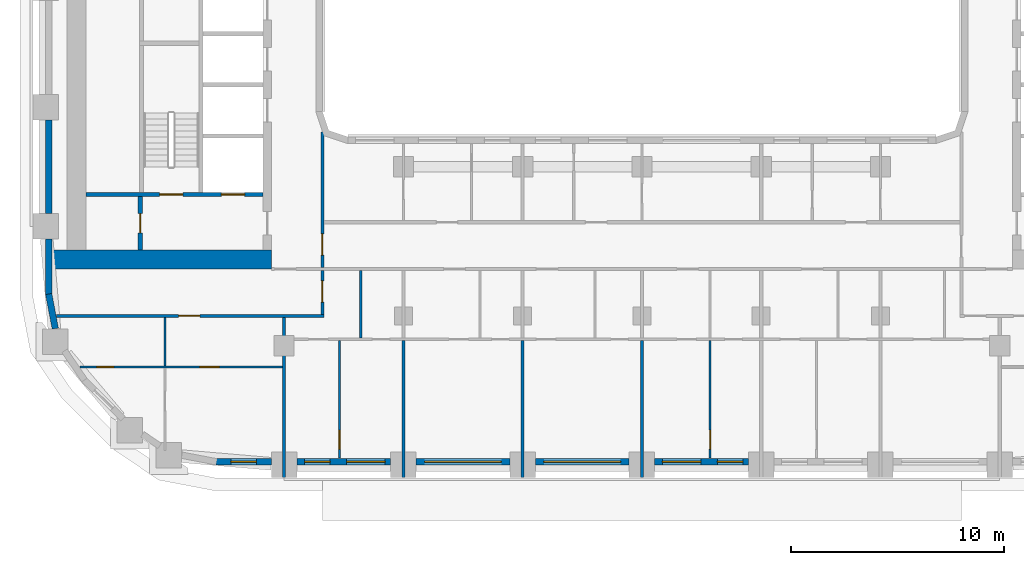
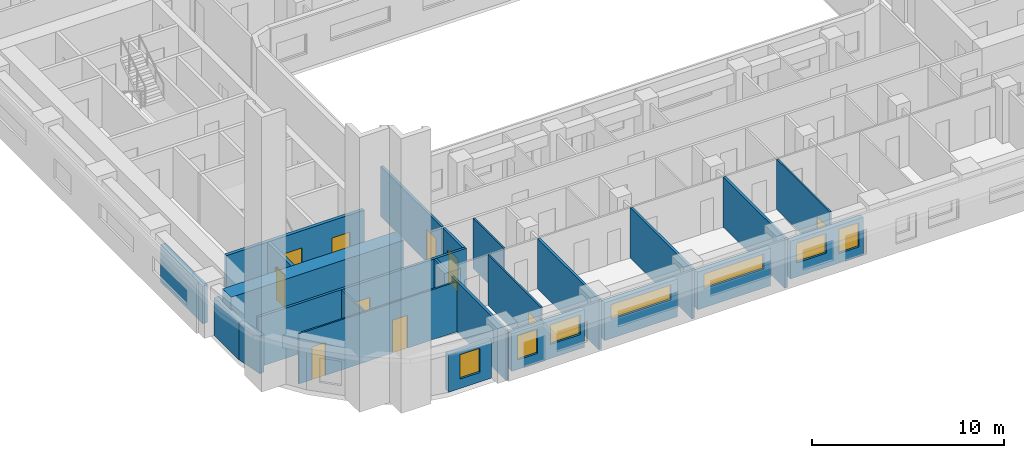
# One storey, part 3 of 23: 23 walls, 10 doors, 7 windows, 17 openings.
"""IFC4 building model written with IfcOpenShell, lengths in metres."""

import ifcopenshell
import ifcopenshell.guid

model = None  # the IFC model being written
_history = None  # IfcOwnerHistory: only IFC2X3 demands one
_inside = {}  # id of a spatial element -> (the spatial element, [elements in it])
_under = {}  # id of a project, library or spatial element -> (it, [spatial elements below it])
_declared = {}  # id of a project -> (the project, [libraries it declares])
_typed = {}  # id of a type object -> (the type object, [elements of that type])
_made_of = {}  # id of a material, layer set ... -> (it, [elements and type objects made of it])


def new_model(schema):
    """Start an empty IFC model of exactly this schema.

    Asked for "IFC4X3", IfcOpenShell would pick the latest addendum, in which some entities
    have other attributes; the version numbers below select the first issue.
    IFC2X3 requires an IfcOwnerHistory on every rooted entity: one is made here for all.
    """
    global model, _history
    if schema == "IFC4X3":
        model = ifcopenshell.file(schema_version=(4, 3, 0, 0))
    else:
        model = ifcopenshell.file(schema=schema)
    _inside.clear()
    _under.clear()
    _declared.clear()
    _typed.clear()
    _made_of.clear()
    _history = None
    if model.schema == "IFC2X3":
        org = make("IfcOrganization", Name="unknown")
        user = make(
            "IfcPersonAndOrganization",
            ThePerson=make("IfcPerson", FamilyName="unknown"),
            TheOrganization=org,
        )
        app = make(
            "IfcApplication",
            ApplicationDeveloper=org,
            Version="unknown",
            ApplicationFullName="unknown",
            ApplicationIdentifier="unknown",
        )
        _history = make(
            "IfcOwnerHistory",
            OwningUser=user,
            OwningApplication=app,
            ChangeAction="ADDED",
            CreationDate=0,
        )
    return model


def make(cls, **values):
    """One entity of the class cls with the attributes given. An attribute that is None is left unset."""
    return model.create_entity(
        cls, **{name: value for name, value in values.items() if value is not None}
    )


def rooted(cls, **values):
    """An entity with a GlobalId (a new one), such as an element, a storey or a relation."""
    return make(cls, GlobalId=ifcopenshell.guid.new(), OwnerHistory=_history, **values)


def si_unit(unit_type, name, prefix=None):
    """IfcSIUnit, for example si_unit("LENGTHUNIT", "METRE", prefix="MILLI")."""
    return make("IfcSIUnit", UnitType=unit_type, Prefix=prefix, Name=name)


def assignment(units):
    """IfcUnitAssignment: the units of a project."""
    return None if units is None else make("IfcUnitAssignment", Units=units)


def point(xyz):
    """IfcCartesianPoint."""
    return None if xyz is None else make("IfcCartesianPoint", Coordinates=xyz)


def direction(xyz):
    """IfcDirection."""
    return None if xyz is None else make("IfcDirection", DirectionRatios=xyz)


def frame(location, z_axis=None, x_axis=None):
    """IfcAxis2Placement3D, a coordinate frame: its origin and axes. An axis left out is left unset."""
    return make(
        "IfcAxis2Placement3D",
        Location=point(location),
        Axis=direction(z_axis),
        RefDirection=direction(x_axis),
    )


def frame_2d(location, x_axis=None):
    """IfcAxis2Placement2D, a coordinate frame in the plane: its origin and x axis."""
    return make(
        "IfcAxis2Placement2D", Location=point(location), RefDirection=direction(x_axis)
    )


def origin():
    """The frame at (0, 0, 0) with its axes left unset."""
    return frame((0.0, 0.0, 0.0))


def place(relative_to, where):
    """IfcLocalPlacement: puts the frame where relative to a parent placement (None: the world)."""
    return make(
        "IfcLocalPlacement", PlacementRelTo=relative_to, RelativePlacement=where
    )


def context(
    kind, dimensions, precision=None, world=None, true_north=None, identifier=None
):
    """IfcGeometricRepresentationContext, for example the 3D "Model" context."""
    return make(
        "IfcGeometricRepresentationContext",
        ContextIdentifier=identifier,
        ContextType=kind,
        CoordinateSpaceDimension=dimensions,
        Precision=precision,
        WorldCoordinateSystem=world,
        TrueNorth=true_north,
    )


def subcontext(parent, identifier, kind, view, scale=None):
    """IfcGeometricRepresentationSubContext, for example "Body" below "Model"."""
    return make(
        "IfcGeometricRepresentationSubContext",
        ContextIdentifier=identifier,
        ContextType=kind,
        ParentContext=parent,
        TargetScale=scale,
        TargetView=view,
    )


def project(units=None, contexts=None):
    """IfcProject with its units and contexts."""
    return rooted(
        "IfcProject",
        Name="project",
        RepresentationContexts=contexts,
        UnitsInContext=assignment(units),
    )


def spatial(cls, under=None, at=None, **own):
    """A site, building, storey or space (cls), placed at a placement, below another one or the project."""
    s = rooted(cls, ObjectPlacement=at, **own)
    if under is not None:
        _under.setdefault(under.id(), (under, []))[1].append(s)
    return s


def profile(cls, at=None, kind="AREA", **sizes):
    """A parametric profile (cls). Its sizes go by their IFC names, for example OverallWidth=200.0."""
    return make(cls, ProfileType=kind, Position=at, **sizes)


def rectangle(**sizes):
    """IfcRectangleProfileDef."""
    return profile("IfcRectangleProfileDef", **sizes)


def extrude(swept, where, along, depth):
    """IfcExtrudedAreaSolid: the profile swept, set in the frame where, extruded along a direction by depth."""
    return make(
        "IfcExtrudedAreaSolid",
        SweptArea=swept,
        Position=where,
        ExtrudedDirection=direction(along),
        Depth=depth,
    )


def shape(context_of_items, identifier, shape_type, items):
    """IfcShapeRepresentation: the items that make up one representation, for example the "Body"."""
    return make(
        "IfcShapeRepresentation",
        ContextOfItems=context_of_items,
        RepresentationIdentifier=identifier,
        RepresentationType=shape_type,
        Items=items,
    )


def material(Name=None, Category=None):
    """IfcMaterial."""
    return make("IfcMaterial", Name=Name, Category=Category)


def layer(
    of_material, thickness, ventilated=None, Name=None, Category=None, Priority=None
):
    """IfcMaterialLayer: one layer of a wall or slab, of a material (None: an air gap)."""
    return make(
        "IfcMaterialLayer",
        Material=of_material,
        LayerThickness=thickness,
        IsVentilated=ventilated,
        Name=Name,
        Category=Category,
        Priority=Priority,
    )


def layer_set(layers, Name=None):
    """IfcMaterialLayerSet."""
    return make("IfcMaterialLayerSet", MaterialLayers=layers, LayerSetName=Name)


def made_of(thing, what):
    """Note that an element or type object is made of a material, layer set ...; save() writes the relation."""
    if what is not None:
        _made_of.setdefault(what.id(), (what, []))[1].append(thing)
    return thing


def type_object(cls, material=None, **own):
    """A type object (cls), such as IfcWallType, which elements share."""
    return made_of(rooted(cls, **own), material)


def element(
    cls,
    number,
    at=None,
    inside=None,
    cuts=None,
    type_object=None,
    material=None,
    context=None,
    identifier="Body",
    shape_type=None,
    held_by="IfcProductDefinitionShape",
    body=None,
    shapes=None,
    **own,
):
    """One element of the class cls, such as IfcWall. Its Tag is "e" and its number.

    at: its placement. inside: the storey or other place that contains it. cuts: it is an
    opening in that element (IfcRelVoidsElement). A single representation is given by context,
    identifier, shape_type and body (its items); several are given by shapes. held_by: the class
    of the entity that holds the representations. save() writes the other relations.
    """
    e = rooted(cls, Tag="e%d" % number, ObjectPlacement=at, **own)
    if body is not None:
        shapes = [shape(context, identifier, shape_type, body)]
    if shapes is not None:
        e.Representation = make(held_by, Representations=shapes)
    if inside is not None:
        _inside.setdefault(inside.id(), (inside, []))[1].append(e)
    if cuts is not None:
        rooted(
            "IfcRelVoidsElement", RelatingBuildingElement=cuts, RelatedOpeningElement=e
        )
    if type_object is not None:
        _typed.setdefault(type_object.id(), (type_object, []))[1].append(e)
    return made_of(e, material)


def fill(opening, filler):
    """IfcRelFillsElement: the door or window that sits in an opening."""
    return rooted(
        "IfcRelFillsElement",
        RelatingOpeningElement=opening,
        RelatedBuildingElement=filler,
    )


def aggregate(whole, parts):
    """IfcRelAggregates: a whole, such as a stair, and the parts it consists of."""
    return rooted("IfcRelAggregates", RelatingObject=whole, RelatedObjects=parts)


def save(model, path):
    """Write the relations noted so far, then the file.

    IfcRelAggregates (storeys below a building ...), IfcRelContainedInSpatialStructure (elements
    in a storey), IfcRelDefinesByType, IfcRelAssociatesMaterial and IfcRelDeclares: one each for
    every whole, place, type object, material and project.
    """
    for whole, parts in _under.values():
        aggregate(whole, parts)
    for where, things in _inside.values():
        rooted(
            "IfcRelContainedInSpatialStructure",
            RelatedElements=things,
            RelatingStructure=where,
        )
    for kind, things in _typed.values():
        rooted("IfcRelDefinesByType", RelatedObjects=things, RelatingType=kind)
    for what, things in _made_of.values():
        rooted("IfcRelAssociatesMaterial", RelatedObjects=things, RelatingMaterial=what)
    for by, libraries in _declared.values():
        rooted("IfcRelDeclares", RelatingContext=by, RelatedDefinitions=libraries)
    model.write(path)


model = new_model("IFC4")

# Units and contexts
model_context = context("Model", 3, precision=1e-05, world=origin(), true_north=direction((0.0, 1.0)))
body_context = subcontext(model_context, "Body", "Model", "MODEL_VIEW")
ifc_project = project(units=[si_unit("LENGTHUNIT", "METRE"), si_unit("AREAUNIT", "SQUARE_METRE"), si_unit("VOLUMEUNIT", "CUBIC_METRE"), si_unit("PLANEANGLEUNIT", "RADIAN"), si_unit("MASSUNIT", "GRAM", prefix="KILO")], contexts=[model_context])

# Site, building, storey
site_placement = place(None, origin())
site = spatial("IfcSite", under=ifc_project, at=site_placement, CompositionType="ELEMENT")
building_placement = place(site_placement, origin())
building = spatial("IfcBuilding", under=site, at=building_placement, Name="Kiln Ring Residences", CompositionType="ELEMENT")
storey_placement = place(building_placement, frame((0.0, 0.0, 107.800048828125)))
storey = spatial("IfcBuildingStorey", under=building, at=storey_placement, Name="L27", CompositionType="ELEMENT", Elevation=107.800048828125)

# Wall, opening, door
ifc_material_1 = material(Name="Gypsum board on steel studs", Category="steel")
ifc_layer_1 = layer(ifc_material_1, 0.199951171875)
ifc_layer_set_1 = layer_set([ifc_layer_1], Name="CORE-PARTITION-200")
wall_type_1 = type_object("IfcWallType", Name="CORE-PARTITION-200", PredefinedType="PARTITIONING", material=ifc_layer_set_1)
wall_1_placement = place(storey_placement, frame((-23.550048828125, -12.300048828125, 0.0), z_axis=(0.0, 0.0, 1.0), x_axis=(0.0, 1.0, 0.0)))
wall_1 = element("IfcWall", 1, at=wall_1_placement, inside=storey, type_object=wall_type_1, Name="Core partition west L27 5", PredefinedType="PARTITIONING", context=body_context, shape_type="SweptSolid", body=[
    extrude(rectangle(XDim=2.5, YDim=0.199951171875, at=frame_2d((1.25, 0.0))), origin(), (0.0, 0.0, 1.0), 3.199951171875),
])
opening_1_placement = place(wall_1_placement, frame((0.800048828125, 0.0, 0.0)))
opening_1 = element("IfcOpeningElement", 2, at=opening_1_placement, cuts=wall_1, Name="Opening L27-CW11", PredefinedType="OPENING", context=body_context, shape_type="SweptSolid", body=[
    extrude(rectangle(XDim=0.89990234375, YDim=2.10009765625, at=frame_2d((0.449951171875, 1.050048828125))), frame((0.0, 0.10986328125, 0.0), z_axis=(0.0, -1.0, 0.0), x_axis=(1.0, 0.0, 0.0)), (0.0, 0.0, 1.0), 0.219970703125),
])
ifc_material_2 = material(Name="Steel door leaf", Category="steel")
door_type_1 = type_object("IfcDoorType", Name="CORE-DOOR-ROOM", OperationType="SINGLE_SWING_LEFT", PredefinedType="DOOR", material=ifc_material_2)
door_1_placement = place(opening_1_placement, origin())
door_1 = element("IfcDoor", 3, at=door_1_placement, inside=storey, type_object=door_type_1, Name="Store L27-CW11", OperationType="SINGLE_SWING_LEFT", OverallHeight=2.10009765625, OverallWidth=0.89990234375, PredefinedType="DOOR", context=body_context, shape_type="SweptSolid", body=[
    extrude(rectangle(XDim=0.89990234375, YDim=2.10009765625, at=frame_2d((0.449951171875, 1.050048828125))), frame((0.0, 0.02490234375, 0.0), z_axis=(0.0, -1.0, 0.0), x_axis=(1.0, 0.0, 0.0)), (0.0, 0.0, 1.0), 0.050048828125),
])
fill(opening_1, door_1)

# Wall, openings, doors
ifc_material_3 = material(Name="Concrete C40/50", Category="concrete")
ifc_layer_2 = layer(ifc_material_3, 0.199951171875)
ifc_layer_set_2 = layer_set([ifc_layer_2], Name="CORE-WALL-RC200")
wall_type_2 = type_object("IfcWallType", Name="CORE-WALL-RC200", PredefinedType="SHEAR", material=ifc_layer_set_2)
wall_2_placement = place(storey_placement, frame((-17.800048828125, -9.699951171875, 0.0), z_axis=(0.0, 0.0, 1.0), x_axis=(-1.0, 0.0, 0.0)))
wall_2 = element("IfcWall", 4, at=wall_2_placement, inside=storey, type_object=wall_type_2, Name="Core wall west L27 8", PredefinedType="SHEAR", context=body_context, shape_type="SweptSolid", body=[
    extrude(rectangle(XDim=8.300048828125, YDim=0.199951171875, at=frame_2d((4.14990234375, 0.0))), origin(), (0.0, 0.0, 1.0), 3.199951171875),
])
opening_2_placement = place(wall_2_placement, frame((0.85009765625, 0.0, 0.0)))
opening_2 = element("IfcOpeningElement", 5, at=opening_2_placement, cuts=wall_2, Name="Opening L27-CW01", PredefinedType="OPENING", context=body_context, shape_type="SweptSolid", body=[
    extrude(rectangle(XDim=1.10009765625, YDim=2.10009765625, at=frame_2d((0.550048828125, 1.050048828125))), frame((0.0, 0.10986328125, 0.0), z_axis=(0.0, -1.0, 0.0), x_axis=(1.0, 0.0, 0.0)), (0.0, 0.0, 1.0), 0.219970703125),
])
opening_3_placement = place(wall_2_placement, frame((3.75, 0.0, 0.0)))
opening_3 = element("IfcOpeningElement", 6, at=opening_3_placement, cuts=wall_2, Name="Opening L27-CW13", PredefinedType="OPENING", context=body_context, shape_type="SweptSolid", body=[
    extrude(rectangle(XDim=1.10009765625, YDim=2.10009765625, at=frame_2d((0.550048828125, 1.050048828125))), frame((0.0, 0.10986328125, 0.0), z_axis=(0.0, -1.0, 0.0), x_axis=(1.0, 0.0, 0.0)), (0.0, 0.0, 1.0), 0.219970703125),
])
ifc_material_4 = material(Name="Steel door leaf", Category="steel")
door_type_2 = type_object("IfcDoorType", Name="CORE-DOOR-LD", OperationType="DOUBLE_DOOR_SLIDING", PredefinedType="DOOR", material=ifc_material_4)
door_2_placement = place(opening_2_placement, origin())
door_2 = element("IfcDoor", 7, at=door_2_placement, inside=storey, type_object=door_type_2, Name="LD W-SV L27-CW01", OperationType="DOUBLE_DOOR_SLIDING", OverallHeight=2.10009765625, OverallWidth=1.10009765625, PredefinedType="DOOR", context=body_context, shape_type="SweptSolid", body=[
    extrude(rectangle(XDim=1.10009765625, YDim=2.10009765625, at=frame_2d((0.550048828125, 1.050048828125))), frame((0.0, 0.02490234375, 0.0), z_axis=(0.0, -1.0, 0.0), x_axis=(1.0, 0.0, 0.0)), (0.0, 0.0, 1.0), 0.050048828125),
])
fill(opening_2, door_2)
ifc_material_5 = material(Name="Steel door leaf", Category="steel")
door_type_3 = type_object("IfcDoorType", Name="CORE-DOOR-STAIR", OperationType="SINGLE_SWING_LEFT", PredefinedType="DOOR", material=ifc_material_5)
door_3_placement = place(opening_3_placement, origin())
door_3 = element("IfcDoor", 8, at=door_3_placement, inside=storey, type_object=door_type_3, Name="Stair W-STS L27-CW13", OperationType="SINGLE_SWING_RIGHT", OverallHeight=2.10009765625, OverallWidth=1.10009765625, PredefinedType="DOOR", context=body_context, shape_type="SweptSolid", body=[
    extrude(rectangle(XDim=1.10009765625, YDim=2.10009765625, at=frame_2d((0.550048828125, 1.050048828125))), frame((0.0, 0.02490234375, 0.0), z_axis=(0.0, -1.0, 0.0), x_axis=(1.0, 0.0, 0.0)), (0.0, 0.0, 1.0), 0.050048828125),
])
fill(opening_3, door_3)

# Wall
ifc_material_6 = material(Name="Concrete C60/75", Category="concrete")
ifc_layer_3 = layer(ifc_material_6, 0.89990234375)
ifc_layer_set_3 = layer_set([ifc_layer_3], Name="CORE-WALL-RC900")
wall_type_3 = type_object("IfcWallType", Name="CORE-WALL-RC900", PredefinedType="SHEAR", material=ifc_layer_set_3)
wall_3_placement = place(storey_placement, frame((-17.39990234375, -12.75, 0.0), z_axis=(0.0, 0.0, 1.0), x_axis=(-1.0, 0.0, 0.0)))
element("IfcWall", 9, at=wall_3_placement, inside=storey, type_object=wall_type_3, Name="Core wall west L27 5", PredefinedType="SHEAR", context=body_context, shape_type="SweptSolid", body=[
    extrude(rectangle(XDim=10.400146484375, YDim=0.89990234375, at=frame_2d((5.2001953125, 0.0))), origin(), (0.0, 0.0, 1.0), 3.199951171875),
])

# Wall, opening, window
ifc_material_7 = material(Name="Brick masonry, dark clay brick", Category="masonry")
ifc_layer_4 = layer(ifc_material_7, 0.300048828125)
ifc_layer_set_4 = layer_set([ifc_layer_4], Name="EW-300 BRICK WALL")
wall_type_4 = type_object("IfcWallType", Name="EW-300 BRICK WALL", PredefinedType="SOLIDWALL", material=ifc_layer_set_4)
wall_4_placement = place(storey_placement, frame((-20.0, -22.25, 0.0), z_axis=(0.0, 0.0, 1.0), x_axis=(1.0, 0.0, 0.0)))
wall_4 = element("IfcWall", 10, at=wall_4_placement, inside=storey, type_object=wall_type_4, Name="Facade wall L27 4", PredefinedType="SOLIDWALL", context=body_context, shape_type="SweptSolid", body=[
    extrude(rectangle(XDim=2.60009765625, YDim=0.300048828125, at=frame_2d((1.300048828125, 0.0))), origin(), (0.0, 0.0, 1.0), 2.39990234375),
])
opening_4_placement = place(wall_4_placement, frame((0.699951171875, 0.0, 0.60009765625)))
opening_4 = element("IfcOpeningElement", 11, at=opening_4_placement, cuts=wall_4, Name="Opening W1", PredefinedType="OPENING", context=body_context, shape_type="SweptSolid", body=[
    extrude(rectangle(XDim=1.199951171875, YDim=1.550048828125, at=frame_2d((0.60009765625, 0.77490234375))), frame((0.0, 0.159912109375, 0.0), z_axis=(0.0, -1.0, 0.0), x_axis=(1.0, 0.0, 0.0)), (0.0, 0.0, 1.0), 0.320068359375),
])
ifc_material_8 = material(Name="Aluminium frame with double glazing", Category="aluminium")
window_type_1 = type_object("IfcWindowType", Name="WINDOW 1200 x 1550", PartitioningType="SINGLE_PANEL", PredefinedType="WINDOW", material=ifc_material_8)
window_1_placement = place(opening_4_placement, origin())
window_1 = element("IfcWindow", 12, at=window_1_placement, inside=storey, type_object=window_type_1, Name="Window L27 2", OverallHeight=1.550048828125, OverallWidth=1.199951171875, PartitioningType="SINGLE_PANEL", PredefinedType="WINDOW", context=body_context, shape_type="SweptSolid", body=[
    extrude(rectangle(XDim=1.199951171875, YDim=1.550048828125, at=frame_2d((0.60009765625, 0.77490234375))), frame((0.0, 0.030029296875, 0.0), z_axis=(0.0, -1.0, 0.0), x_axis=(1.0, 0.0, 0.0)), (0.0, 0.0, 1.0), 0.06005859375),
])
fill(opening_4, window_1)

# Wall, openings, windows
wall_5_placement = place(storey_placement, frame((-16.199951171875, -22.25, 0.0), z_axis=(0.0, 0.0, 1.0), x_axis=(1.0, 0.0, 0.0)))
wall_5 = element("IfcWall", 13, at=wall_5_placement, inside=storey, type_object=wall_type_4, Name="Facade wall L27 5", PredefinedType="SOLIDWALL", context=body_context, shape_type="SweptSolid", body=[
    extrude(rectangle(XDim=4.39990234375, YDim=0.300048828125, at=frame_2d((2.199951171875, 0.0))), origin(), (0.0, 0.0, 1.0), 2.39990234375),
])
opening_5_placement = place(wall_5_placement, frame((0.362548828125, 0.0, 0.60009765625)))
opening_5 = element("IfcOpeningElement", 14, at=opening_5_placement, cuts=wall_5, Name="Opening W1", PredefinedType="OPENING", context=body_context, shape_type="SweptSolid", body=[
    extrude(rectangle(XDim=1.199951171875, YDim=1.550048828125, at=frame_2d((0.60009765625, 0.77490234375))), frame((0.0, 0.159912109375, 0.0), z_axis=(0.0, -1.0, 0.0), x_axis=(1.0, 0.0, 0.0)), (0.0, 0.0, 1.0), 0.320068359375),
])
opening_6_placement = place(wall_5_placement, frame((2.33740234375, 0.0, 0.89990234375)))
opening_6 = element("IfcOpeningElement", 15, at=opening_6_placement, cuts=wall_5, Name="Opening W2", PredefinedType="OPENING", context=body_context, shape_type="SweptSolid", body=[
    extrude(rectangle(XDim=1.800048828125, YDim=1.25, at=frame_2d((0.89990234375, 0.625))), frame((0.0, 0.159912109375, 0.0), z_axis=(0.0, -1.0, 0.0), x_axis=(1.0, 0.0, 0.0)), (0.0, 0.0, 1.0), 0.320068359375),
])
window_2_placement = place(opening_5_placement, origin())
window_2 = element("IfcWindow", 16, at=window_2_placement, inside=storey, type_object=window_type_1, Name="Window L27 3", OverallHeight=1.550048828125, OverallWidth=1.199951171875, PartitioningType="SINGLE_PANEL", PredefinedType="WINDOW", context=body_context, shape_type="SweptSolid", body=[
    extrude(rectangle(XDim=1.199951171875, YDim=1.550048828125, at=frame_2d((0.60009765625, 0.77490234375))), frame((0.0, 0.030029296875, 0.0), z_axis=(0.0, -1.0, 0.0), x_axis=(1.0, 0.0, 0.0)), (0.0, 0.0, 1.0), 0.06005859375),
])
fill(opening_5, window_2)
ifc_material_9 = material(Name="Aluminium frame with double glazing", Category="aluminium")
window_type_2 = type_object("IfcWindowType", Name="WINDOW 1800 x 1250", PartitioningType="SINGLE_PANEL", PredefinedType="WINDOW", material=ifc_material_9)
window_3_placement = place(opening_6_placement, origin())
window_3 = element("IfcWindow", 17, at=window_3_placement, inside=storey, type_object=window_type_2, Name="Window L27 4", OverallHeight=1.25, OverallWidth=1.800048828125, PartitioningType="SINGLE_PANEL", PredefinedType="WINDOW", context=body_context, shape_type="SweptSolid", body=[
    extrude(rectangle(XDim=1.800048828125, YDim=1.25, at=frame_2d((0.89990234375, 0.625))), frame((0.0, 0.030029296875, 0.0), z_axis=(0.0, -1.0, 0.0), x_axis=(1.0, 0.0, 0.0)), (0.0, 0.0, 1.0), 0.06005859375),
])
fill(opening_6, window_3)

# Wall, opening, window
wall_6_placement = place(storey_placement, frame((-10.60009765625, -22.25, 0.0), z_axis=(0.0, 0.0, 1.0), x_axis=(1.0, 0.0, 0.0)))
wall_6 = element("IfcWall", 18, at=wall_6_placement, inside=storey, type_object=wall_type_4, Name="Facade wall L27 6", PredefinedType="SOLIDWALL", context=body_context, shape_type="SweptSolid", body=[
    extrude(rectangle(XDim=4.400146484375, YDim=0.300048828125, at=frame_2d((2.2001953125, 0.0))), origin(), (0.0, 0.0, 1.0), 2.39990234375),
])
opening_7_placement = place(wall_6_placement, frame((0.39990234375, 0.0, 1.199951171875)))
opening_7 = element("IfcOpeningElement", 19, at=opening_7_placement, cuts=wall_6, Name="Opening W4", PredefinedType="OPENING", context=body_context, shape_type="SweptSolid", body=[
    extrude(rectangle(XDim=3.60009765625, YDim=0.949951171875, at=frame_2d((1.800048828125, 0.47509765625))), frame((0.0, 0.159912109375, 0.0), z_axis=(0.0, -1.0, 0.0), x_axis=(1.0, 0.0, 0.0)), (0.0, 0.0, 1.0), 0.320068359375),
])
ifc_material_10 = material(Name="Aluminium frame with double glazing", Category="aluminium")
window_type_3 = type_object("IfcWindowType", Name="WINDOW 3600 x 950", PartitioningType="SINGLE_PANEL", PredefinedType="WINDOW", material=ifc_material_10)
window_4_placement = place(opening_7_placement, origin())
window_4 = element("IfcWindow", 20, at=window_4_placement, inside=storey, type_object=window_type_3, Name="Window L27 5", OverallHeight=0.949951171875, OverallWidth=3.60009765625, PartitioningType="SINGLE_PANEL", PredefinedType="WINDOW", context=body_context, shape_type="SweptSolid", body=[
    extrude(rectangle(XDim=3.60009765625, YDim=0.949951171875, at=frame_2d((1.800048828125, 0.47509765625))), frame((0.0, 0.030029296875, 0.0), z_axis=(0.0, -1.0, 0.0), x_axis=(1.0, 0.0, 0.0)), (0.0, 0.0, 1.0), 0.06005859375),
])
fill(opening_7, window_4)

wall_7_placement = place(storey_placement, frame((-5.0, -22.25, 0.0), z_axis=(0.0, 0.0, 1.0), x_axis=(1.0, 0.0, 0.0)))
wall_7 = element("IfcWall", 21, at=wall_7_placement, inside=storey, type_object=wall_type_4, Name="Facade wall L27 7", PredefinedType="SOLIDWALL", context=body_context, shape_type="SweptSolid", body=[
    extrude(rectangle(XDim=4.39990234375, YDim=0.300048828125, at=frame_2d((2.199951171875, 0.0))), origin(), (0.0, 0.0, 1.0), 2.39990234375),
])
opening_8_placement = place(wall_7_placement, frame((0.39990234375, 0.0, 1.199951171875)))
opening_8 = element("IfcOpeningElement", 22, at=opening_8_placement, cuts=wall_7, Name="Opening W4", PredefinedType="OPENING", context=body_context, shape_type="SweptSolid", body=[
    extrude(rectangle(XDim=3.60009765625, YDim=0.949951171875, at=frame_2d((1.800048828125, 0.47509765625))), frame((0.0, 0.159912109375, 0.0), z_axis=(0.0, -1.0, 0.0), x_axis=(1.0, 0.0, 0.0)), (0.0, 0.0, 1.0), 0.320068359375),
])
window_5_placement = place(opening_8_placement, origin())
window_5 = element("IfcWindow", 23, at=window_5_placement, inside=storey, type_object=window_type_3, Name="Window L27 6", OverallHeight=0.949951171875, OverallWidth=3.60009765625, PartitioningType="SINGLE_PANEL", PredefinedType="WINDOW", context=body_context, shape_type="SweptSolid", body=[
    extrude(rectangle(XDim=3.60009765625, YDim=0.949951171875, at=frame_2d((1.800048828125, 0.47509765625))), frame((0.0, 0.030029296875, 0.0), z_axis=(0.0, -1.0, 0.0), x_axis=(1.0, 0.0, 0.0)), (0.0, 0.0, 1.0), 0.06005859375),
])
fill(opening_8, window_5)

# Wall, openings, windows
wall_8_placement = place(storey_placement, frame((0.60009765625, -22.25, 0.0), z_axis=(0.0, 0.0, 1.0), x_axis=(1.0, 0.0, 0.0)))
wall_8 = element("IfcWall", 24, at=wall_8_placement, inside=storey, type_object=wall_type_4, Name="Facade wall L27 8", PredefinedType="SOLIDWALL", context=body_context, shape_type="SweptSolid", body=[
    extrude(rectangle(XDim=4.39990234375, YDim=0.300048828125, at=frame_2d((2.199951171875, 0.0))), origin(), (0.0, 0.0, 1.0), 2.39990234375),
])
opening_9_placement = place(wall_8_placement, frame((0.362548828125, 0.0, 0.89990234375)))
opening_9 = element("IfcOpeningElement", 25, at=opening_9_placement, cuts=wall_8, Name="Opening W2", PredefinedType="OPENING", context=body_context, shape_type="SweptSolid", body=[
    extrude(rectangle(XDim=1.800048828125, YDim=1.25, at=frame_2d((0.89990234375, 0.625))), frame((0.0, 0.159912109375, 0.0), z_axis=(0.0, -1.0, 0.0), x_axis=(1.0, 0.0, 0.0)), (0.0, 0.0, 1.0), 0.320068359375),
])
opening_10_placement = place(wall_8_placement, frame((2.9375, 0.0, 0.60009765625)))
opening_10 = element("IfcOpeningElement", 26, at=opening_10_placement, cuts=wall_8, Name="Opening W1", PredefinedType="OPENING", context=body_context, shape_type="SweptSolid", body=[
    extrude(rectangle(XDim=1.199951171875, YDim=1.550048828125, at=frame_2d((0.60009765625, 0.77490234375))), frame((0.0, 0.159912109375, 0.0), z_axis=(0.0, -1.0, 0.0), x_axis=(1.0, 0.0, 0.0)), (0.0, 0.0, 1.0), 0.320068359375),
])
window_6_placement = place(opening_10_placement, origin())
window_6 = element("IfcWindow", 27, at=window_6_placement, inside=storey, type_object=window_type_1, Name="Window L27 8", OverallHeight=1.550048828125, OverallWidth=1.199951171875, PartitioningType="SINGLE_PANEL", PredefinedType="WINDOW", context=body_context, shape_type="SweptSolid", body=[
    extrude(rectangle(XDim=1.199951171875, YDim=1.550048828125, at=frame_2d((0.60009765625, 0.77490234375))), frame((0.0, 0.030029296875, 0.0), z_axis=(0.0, -1.0, 0.0), x_axis=(1.0, 0.0, 0.0)), (0.0, 0.0, 1.0), 0.06005859375),
])
fill(opening_10, window_6)
window_7_placement = place(opening_9_placement, origin())
window_7 = element("IfcWindow", 28, at=window_7_placement, inside=storey, type_object=window_type_2, Name="Window L27 7", OverallHeight=1.25, OverallWidth=1.800048828125, PartitioningType="SINGLE_PANEL", PredefinedType="WINDOW", context=body_context, shape_type="SweptSolid", body=[
    extrude(rectangle(XDim=1.800048828125, YDim=1.25, at=frame_2d((0.89990234375, 0.625))), frame((0.0, 0.030029296875, 0.0), z_axis=(0.0, -1.0, 0.0), x_axis=(1.0, 0.0, 0.0)), (0.0, 0.0, 1.0), 0.06005859375),
])
fill(opening_9, window_7)

# Walls
wall_9_placement = place(storey_placement, frame((-27.85009765625, -6.199951171875, 0.0), z_axis=(0.0, 0.0, 1.0), x_axis=(0.0, -1.0, 0.0)))
element("IfcWall", 29, at=wall_9_placement, inside=storey, type_object=wall_type_4, Name="Facade wall L27 45", PredefinedType="SOLIDWALL", context=body_context, shape_type="SweptSolid", body=[
    extrude(rectangle(XDim=4.400146484375, YDim=0.300048828125, at=frame_2d((2.2001953125, 0.0))), origin(), (0.0, 0.0, 1.0), 2.39990234375),
])
wall_10_placement = place(storey_placement, frame((-27.85009765625, -11.800048828125, 0.0), z_axis=(0.0, 0.0, 1.0), x_axis=(0.0, -1.0, 0.0)))
element("IfcWall", 30, at=wall_10_placement, inside=storey, type_object=wall_type_4, Name="Facade wall L27 46", PredefinedType="SOLIDWALL", context=body_context, shape_type="SweptSolid", body=[
    extrude(rectangle(XDim=2.599853515625, YDim=0.300048828125, at=frame_2d((1.2998046875, 0.0))), origin(), (0.0, 0.0, 1.0), 2.39990234375),
])
wall_11_placement = place(storey_placement, frame((-27.8525390625, -14.371826171875, 0.0), z_axis=(0.0, 0.0, 1.0), x_axis=(0.187349172861, -0.982293381546, 0.0)))
element("IfcWall", 31, at=wall_11_placement, inside=storey, type_object=wall_type_4, Name="Facade wall L27 47", PredefinedType="SOLIDWALL", context=body_context, shape_type="SweptSolid", body=[
    extrude(rectangle(XDim=1.65625, YDim=0.300048828125, at=frame_2d((0.828125, 0.0))), origin(), (0.0, 0.0, 1.0), 2.39990234375),
])

# Wall, openings, doors
ifc_material_11 = material(Name="Gypsum board on steel studs", Category="steel")
ifc_layer_5 = layer(ifc_material_11, 0.10009765625)
ifc_layer_set_5 = layer_set([ifc_layer_5], Name="PARTITION-100")
wall_type_5 = type_object("IfcWallType", Name="PARTITION-100", PredefinedType="PARTITIONING", material=ifc_layer_set_5)
wall_12_placement = place(storey_placement, frame((-26.39404296875, -17.800048828125, 0.0), z_axis=(0.0, 0.0, 1.0), x_axis=(1.0, 0.0, 0.0)))
wall_12 = element("IfcWall", 32, at=wall_12_placement, inside=storey, type_object=wall_type_5, Name="Partition 000", PredefinedType="PARTITIONING", context=body_context, shape_type="SweptSolid", body=[
    extrude(rectangle(XDim=9.51904296875, YDim=0.10009765625, at=frame_2d((4.759521484375, 0.0))), origin(), (0.0, 0.0, 1.0), 3.199951171875),
])
opening_11_placement = place(wall_12_placement, frame((0.7939453125, 0.0, 0.0)))
opening_11 = element("IfcOpeningElement", 33, at=opening_11_placement, cuts=wall_12, Name="Opening L27-D078", PredefinedType="OPENING", context=body_context, shape_type="SweptSolid", body=[
    extrude(rectangle(XDim=0.800048828125, YDim=2.10009765625, at=frame_2d((0.39990234375, 1.050048828125))), frame((0.0, 0.06005859375, 0.0), z_axis=(0.0, -1.0, 0.0), x_axis=(1.0, 0.0, 0.0)), (0.0, 0.0, 1.0), 0.1201171875),
])
opening_12_placement = place(wall_12_placement, frame((5.64404296875, 0.0, 0.0)))
opening_12 = element("IfcOpeningElement", 34, at=opening_12_placement, cuts=wall_12, Name="Opening L27-D079", PredefinedType="OPENING", context=body_context, shape_type="SweptSolid", body=[
    extrude(rectangle(XDim=0.89990234375, YDim=2.10009765625, at=frame_2d((0.449951171875, 1.050048828125))), frame((0.0, 0.06005859375, 0.0), z_axis=(0.0, -1.0, 0.0), x_axis=(1.0, 0.0, 0.0)), (0.0, 0.0, 1.0), 0.1201171875),
])
ifc_material_12 = material(Name="Timber door leaf", Category="wood")
door_type_4 = type_object("IfcDoorType", Name="FLAT-DOOR-800-PL", OperationType="SINGLE_SWING_LEFT", PredefinedType="DOOR", material=ifc_material_12)
door_4_placement = place(opening_11_placement, origin())
door_4 = element("IfcDoor", 35, at=door_4_placement, inside=storey, type_object=door_type_4, Name="Door L27-D078", OperationType="SINGLE_SWING_RIGHT", OverallHeight=2.10009765625, OverallWidth=0.800048828125, PredefinedType="DOOR", context=body_context, shape_type="SweptSolid", body=[
    extrude(rectangle(XDim=0.800048828125, YDim=2.10009765625, at=frame_2d((0.39990234375, 1.050048828125))), frame((0.0, 0.02490234375, 0.0), z_axis=(0.0, -1.0, 0.0), x_axis=(1.0, 0.0, 0.0)), (0.0, 0.0, 1.0), 0.050048828125),
])
fill(opening_11, door_4)
ifc_material_13 = material(Name="Timber door leaf", Category="wood")
door_type_5 = type_object("IfcDoorType", Name="FLAT-DOOR-900-PL", OperationType="SINGLE_SWING_LEFT", PredefinedType="DOOR", material=ifc_material_13)
door_5_placement = place(opening_12_placement, origin())
door_5 = element("IfcDoor", 36, at=door_5_placement, inside=storey, type_object=door_type_5, Name="Door L27-D079", OperationType="SINGLE_SWING_LEFT", OverallHeight=2.10009765625, OverallWidth=0.89990234375, PredefinedType="DOOR", context=body_context, shape_type="SweptSolid", body=[
    extrude(rectangle(XDim=0.89990234375, YDim=2.10009765625, at=frame_2d((0.449951171875, 1.050048828125))), frame((0.0, 0.02490234375, 0.0), z_axis=(0.0, -1.0, 0.0), x_axis=(1.0, 0.0, 0.0)), (0.0, 0.0, 1.0), 0.050048828125),
])
fill(opening_12, door_5)

# Wall
wall_13_placement = place(storey_placement, frame((-22.39990234375, -17.75, 0.0), z_axis=(0.0, 0.0, 1.0), x_axis=(0.0, 1.0, 0.0)))
element("IfcWall", 37, at=wall_13_placement, inside=storey, type_object=wall_type_5, Name="Partition 015", PredefinedType="PARTITIONING", context=body_context, shape_type="SweptSolid", body=[
    extrude(rectangle(XDim=2.27490234375, YDim=0.10009765625, at=frame_2d((1.137451171875, 0.0))), origin(), (0.0, 0.0, 1.0), 3.199951171875),
])

# Wall, opening, door
wall_14_placement = place(storey_placement, frame((-14.199951171875, -22.080078125, 0.0), z_axis=(0.0, 0.0, 1.0), x_axis=(0.0, 1.0, 0.0)))
wall_14 = element("IfcWall", 38, at=wall_14_placement, inside=storey, type_object=wall_type_5, Name="Partition 024", PredefinedType="PARTITIONING", context=body_context, shape_type="SweptSolid", body=[
    extrude(rectangle(XDim=5.530029296875, YDim=0.10009765625, at=frame_2d((2.76513671875, 0.0))), origin(), (0.0, 0.0, 1.0), 3.199951171875),
])
opening_13_placement = place(wall_14_placement, frame((0.419921875, 0.0, 0.0)))
opening_13 = element("IfcOpeningElement", 39, at=opening_13_placement, cuts=wall_14, Name="Opening L27-D055", PredefinedType="OPENING", context=body_context, shape_type="SweptSolid", body=[
    extrude(rectangle(XDim=0.89990234375, YDim=2.10009765625, at=frame_2d((0.449951171875, 1.050048828125))), frame((0.0, 0.06005859375, 0.0), z_axis=(0.0, -1.0, 0.0), x_axis=(1.0, 0.0, 0.0)), (0.0, 0.0, 1.0), 0.1201171875),
])
door_6_placement = place(opening_13_placement, origin())
door_6 = element("IfcDoor", 40, at=door_6_placement, inside=storey, type_object=door_type_5, Name="Door L27-D055", OperationType="SINGLE_SWING_LEFT", OverallHeight=2.10009765625, OverallWidth=0.89990234375, PredefinedType="DOOR", context=body_context, shape_type="SweptSolid", body=[
    extrude(rectangle(XDim=0.89990234375, YDim=2.10009765625, at=frame_2d((0.449951171875, 1.050048828125))), frame((0.0, 0.02490234375, 0.0), z_axis=(0.0, -1.0, 0.0), x_axis=(1.0, 0.0, 0.0)), (0.0, 0.0, 1.0), 0.050048828125),
])
fill(opening_13, door_6)

# Wall
wall_15_placement = place(storey_placement, frame((-13.199951171875, -16.449951171875, 0.0), z_axis=(0.0, 0.0, 1.0), x_axis=(0.0, 1.0, 0.0)))
element("IfcWall", 41, at=wall_15_placement, inside=storey, type_object=wall_type_5, Name="Partition 026", PredefinedType="PARTITIONING", context=body_context, shape_type="SweptSolid", body=[
    extrude(rectangle(XDim=3.175048828125, YDim=0.10009765625, at=frame_2d((1.58740234375, 0.0))), origin(), (0.0, 0.0, 1.0), 3.199951171875),
])

# Wall, opening, door
wall_16_placement = place(storey_placement, frame((3.199951171875, -22.080078125, 0.0), z_axis=(0.0, 0.0, 1.0), x_axis=(0.0, 1.0, 0.0)))
wall_16 = element("IfcWall", 42, at=wall_16_placement, inside=storey, type_object=wall_type_5, Name="Partition 053", PredefinedType="PARTITIONING", context=body_context, shape_type="SweptSolid", body=[
    extrude(rectangle(XDim=5.530029296875, YDim=0.10009765625, at=frame_2d((2.76513671875, 0.0))), origin(), (0.0, 0.0, 1.0), 3.199951171875),
])
opening_14_placement = place(wall_16_placement, frame((0.419921875, 0.0, 0.0)))
opening_14 = element("IfcOpeningElement", 43, at=opening_14_placement, cuts=wall_16, Name="Opening L27-D065", PredefinedType="OPENING", context=body_context, shape_type="SweptSolid", body=[
    extrude(rectangle(XDim=0.89990234375, YDim=2.10009765625, at=frame_2d((0.449951171875, 1.050048828125))), frame((0.0, 0.06005859375, 0.0), z_axis=(0.0, -1.0, 0.0), x_axis=(1.0, 0.0, 0.0)), (0.0, 0.0, 1.0), 0.1201171875),
])
door_7_placement = place(opening_14_placement, origin())
door_7 = element("IfcDoor", 44, at=door_7_placement, inside=storey, type_object=door_type_5, Name="Door L27-D065", OperationType="SINGLE_SWING_LEFT", OverallHeight=2.10009765625, OverallWidth=0.89990234375, PredefinedType="DOOR", context=body_context, shape_type="SweptSolid", body=[
    extrude(rectangle(XDim=0.89990234375, YDim=2.10009765625, at=frame_2d((0.449951171875, 1.050048828125))), frame((0.0, 0.02490234375, 0.0), z_axis=(0.0, -1.0, 0.0), x_axis=(1.0, 0.0, 0.0)), (0.0, 0.0, 1.0), 0.050048828125),
])
fill(opening_14, door_7)

ifc_material_14 = material(Name="Brick masonry partition", Category="masonry")
ifc_layer_6 = layer(ifc_material_14, 0.14990234375)
ifc_layer_set_6 = layer_set([ifc_layer_6], Name="PARTITION-150-ei60")
wall_type_6 = type_object("IfcWallType", Name="PARTITION-150-ei60", PredefinedType="PARTITIONING", material=ifc_layer_set_6)
wall_17_placement = place(storey_placement, frame((-27.48388671875, -15.39990234375, 0.0), z_axis=(0.0, 0.0, 1.0), x_axis=(1.0, 0.0, 0.0)))
wall_17 = element("IfcWall", 45, at=wall_17_placement, inside=storey, type_object=wall_type_6, Name="Partition 003", PredefinedType="PARTITIONING", context=body_context, shape_type="SweptSolid", body=[
    extrude(rectangle(XDim=12.558837890625, YDim=0.14990234375, at=frame_2d((6.279296875, 0.0))), origin(), (0.0, 0.0, 1.0), 3.199951171875),
])
opening_15_placement = place(wall_17_placement, frame((5.73388671875, 0.0, 0.0)))
opening_15 = element("IfcOpeningElement", 46, at=opening_15_placement, cuts=wall_17, Name="Opening L27-D077", PredefinedType="OPENING", context=body_context, shape_type="SweptSolid", body=[
    extrude(rectangle(XDim=1.0, YDim=2.10009765625, at=frame_2d((0.5, 1.050048828125))), frame((0.0, 0.0849609375, 0.0), z_axis=(0.0, -1.0, 0.0), x_axis=(1.0, 0.0, 0.0)), (0.0, 0.0, 1.0), 0.169921875),
])
ifc_material_15 = material(Name="Steel faced fire door leaf", Category="steel")
door_type_6 = type_object("IfcDoorType", Name="FLAT-DOOR-1000-FR", OperationType="SINGLE_SWING_LEFT", PredefinedType="DOOR", material=ifc_material_15)
door_8_placement = place(opening_15_placement, origin())
door_8 = element("IfcDoor", 47, at=door_8_placement, inside=storey, type_object=door_type_6, Name="Door L27-D077", OperationType="SINGLE_SWING_LEFT", OverallHeight=2.10009765625, OverallWidth=1.0, PredefinedType="DOOR", context=body_context, shape_type="SweptSolid", body=[
    extrude(rectangle(XDim=1.0, YDim=2.10009765625, at=frame_2d((0.5, 1.050048828125))), frame((0.0, 0.02490234375, 0.0), z_axis=(0.0, -1.0, 0.0), x_axis=(1.0, 0.0, 0.0)), (0.0, 0.0, 1.0), 0.050048828125),
])
fill(opening_15, door_8)

# Wall
wall_18_placement = place(storey_placement, frame((-16.800048828125, -22.97998046875, 0.0), z_axis=(0.0, 0.0, 1.0), x_axis=(0.0, 1.0, 0.0)))
element("IfcWall", 48, at=wall_18_placement, inside=storey, type_object=wall_type_6, Name="Partition 018", PredefinedType="PARTITIONING", context=body_context, shape_type="SweptSolid", body=[
    extrude(rectangle(XDim=7.5048828125, YDim=0.14990234375, at=frame_2d((3.75244140625, 0.0))), origin(), (0.0, 0.0, 1.0), 3.199951171875),
])

# Wall, opening, door
wall_19_placement = place(storey_placement, frame((-15.0, -15.324951171875, 0.0), z_axis=(0.0, 0.0, 1.0), x_axis=(0.0, 1.0, 0.0)))
wall_19 = element("IfcWall", 49, at=wall_19_placement, inside=storey, type_object=wall_type_6, Name="Partition 020", PredefinedType="PARTITIONING", context=body_context, shape_type="SweptSolid", body=[
    extrude(rectangle(XDim=2.050048828125, YDim=0.14990234375, at=frame_2d((1.02490234375, 0.0))), origin(), (0.0, 0.0, 1.0), 3.199951171875),
])
opening_16_placement = place(wall_19_placement, frame((0.573974609375, 0.0, 0.0)))
opening_16 = element("IfcOpeningElement", 50, at=opening_16_placement, cuts=wall_19, Name="Opening L27-D052", PredefinedType="OPENING", context=body_context, shape_type="SweptSolid", body=[
    extrude(rectangle(XDim=1.0, YDim=2.10009765625, at=frame_2d((0.5, 1.050048828125))), frame((0.0, 0.0849609375, 0.0), z_axis=(0.0, -1.0, 0.0), x_axis=(1.0, 0.0, 0.0)), (0.0, 0.0, 1.0), 0.169921875),
])
door_9_placement = place(opening_16_placement, origin())
door_9 = element("IfcDoor", 51, at=door_9_placement, inside=storey, type_object=door_type_6, Name="Door L27-D052", OperationType="SINGLE_SWING_RIGHT", OverallHeight=2.10009765625, OverallWidth=1.0, PredefinedType="DOOR", context=body_context, shape_type="SweptSolid", body=[
    extrude(rectangle(XDim=1.0, YDim=2.10009765625, at=frame_2d((0.5, 1.050048828125))), frame((0.0, 0.02490234375, 0.0), z_axis=(0.0, -1.0, 0.0), x_axis=(1.0, 0.0, 0.0)), (0.0, 0.0, 1.0), 0.050048828125),
])
fill(opening_16, door_9)

wall_20_placement = place(storey_placement, frame((-15.0, -13.125, 0.0), z_axis=(0.0, 0.0, 1.0), x_axis=(0.0, 1.0, 0.0)))
wall_20 = element("IfcWall", 52, at=wall_20_placement, inside=storey, type_object=wall_type_6, Name="Partition 021", PredefinedType="PARTITIONING", context=body_context, shape_type="SweptSolid", body=[
    extrude(rectangle(XDim=6.356201171875, YDim=0.14990234375, at=frame_2d((3.17822265625, 0.0))), origin(), (0.0, 0.0, 1.0), 3.199951171875),
])
opening_17_placement = place(wall_20_placement, frame((0.574951171875, 0.0, 0.0)))
opening_17 = element("IfcOpeningElement", 53, at=opening_17_placement, cuts=wall_20, Name="Opening L27-D005", PredefinedType="OPENING", context=body_context, shape_type="SweptSolid", body=[
    extrude(rectangle(XDim=1.0, YDim=2.10009765625, at=frame_2d((0.5, 1.050048828125))), frame((0.0, 0.0849609375, 0.0), z_axis=(0.0, -1.0, 0.0), x_axis=(1.0, 0.0, 0.0)), (0.0, 0.0, 1.0), 0.169921875),
])
door_10_placement = place(opening_17_placement, origin())
door_10 = element("IfcDoor", 54, at=door_10_placement, inside=storey, type_object=door_type_6, Name="Door L27-D005", OperationType="SINGLE_SWING_RIGHT", OverallHeight=2.10009765625, OverallWidth=1.0, PredefinedType="DOOR", context=body_context, shape_type="SweptSolid", body=[
    extrude(rectangle(XDim=1.0, YDim=2.10009765625, at=frame_2d((0.5, 1.050048828125))), frame((0.0, 0.02490234375, 0.0), z_axis=(0.0, -1.0, 0.0), x_axis=(1.0, 0.0, 0.0)), (0.0, 0.0, 1.0), 0.050048828125),
])
fill(opening_17, door_10)

# Walls
for number, where, z_axis, x_axis, name in (
    (55, (-11.199951171875, -22.97998046875, 0.0), (0.0, 0.0, 1.0), (0.0, 1.0, 0.0), "Partition 029"),
    (56, (-5.60009765625, -22.97998046875, 0.0), (0.0, 0.0, 1.0), (0.0, 1.0, 0.0), "Partition 038"),
    (57, (0.0, -22.97998046875, 0.0), (0.0, 0.0, 1.0), (0.0, 1.0, 0.0), "Partition 050"),
):
    element("IfcWall", number, at=place(storey_placement, frame(where, z_axis=z_axis, x_axis=x_axis)), inside=storey, type_object=wall_type_6, Name=name, PredefinedType="PARTITIONING", context=body_context, shape_type="SweptSolid", body=[
        extrude(rectangle(XDim=6.429931640625, YDim=0.14990234375, at=frame_2d((3.21484375, 0.0))), origin(), (0.0, 0.0, 1.0), 3.199951171875),
    ])

save(model, "model.ifc")
